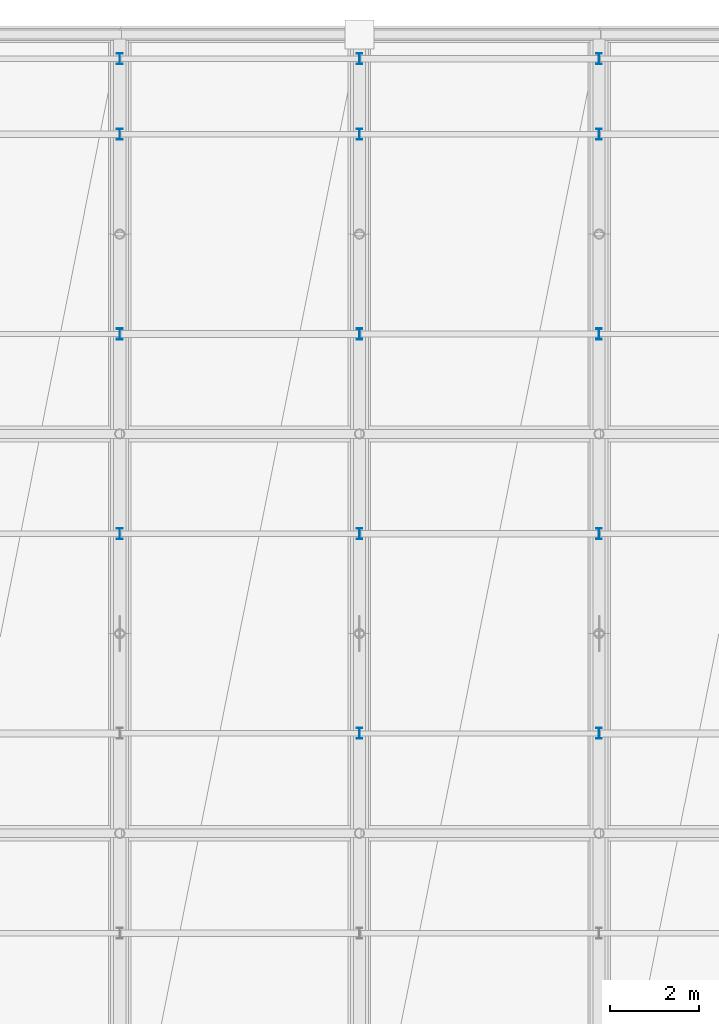
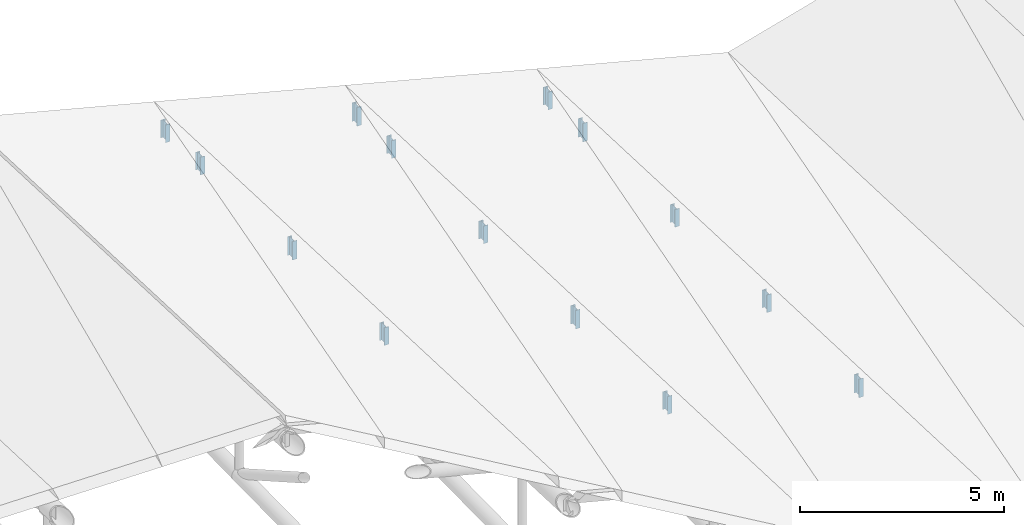
# One storey, part 77 of 109: 14 members.
"""IFC4 building model written with IfcOpenShell, lengths in metres."""

from ifc_helpers import new_model, si_unit, direction, frame, origin, origin_2d, place, context, subcontext, project, spatial, i_section, extrude, material, material_profile, profile_set, type_object, element, save


model = new_model("IFC4")

# Units and contexts
model_context = context("Model", 3, precision=1e-05, world=origin(), true_north=direction((0.0, 1.0)))
body_context = subcontext(model_context, "Body", "Model", "MODEL_VIEW")
ifc_project = project(units=[si_unit("LENGTHUNIT", "METRE"), si_unit("AREAUNIT", "SQUARE_METRE"), si_unit("VOLUMEUNIT", "CUBIC_METRE"), si_unit("PLANEANGLEUNIT", "RADIAN"), si_unit("MASSUNIT", "GRAM", prefix="KILO")], contexts=[model_context])

# Site, building, storey
site_placement = place(None, origin())
site = spatial("IfcSite", under=ifc_project, at=site_placement, CompositionType="ELEMENT")
building_placement = place(site_placement, origin())
building = spatial("IfcBuilding", under=site, at=building_placement, Name="Suirenkawa Promenade Aquatics Centre", CompositionType="ELEMENT")
storey_placement = place(building_placement, frame((0.0, 0.0, 22.800048828125)))
storey = spatial("IfcBuildingStorey", under=building, at=storey_placement, Name="ROOF", CompositionType="ELEMENT", Elevation=22.800048828125)

# Members
ifc_material = material(Name="Steel IS 2062 E350 (Grade 350)", Category="steel")
ifc_material_profile = material_profile(ifc_material, i_section(OverallWidth=0.125, OverallDepth=0.25, WebThickness=0.007080078125, FlangeThickness=0.012939453125, at=origin_2d()), Name="ISMB 250", Category="steel")
ifc_profile_set = profile_set([ifc_material_profile], Name="Steel IS 2062 E350 (Grade 350)")
member_type = type_object("IfcMemberType", Name="MT-WEB-CHS168", PredefinedType="BRACE", material=ifc_profile_set)
member_1_placement = place(storey_placement, frame((117.0, 111.14990234375, -5.862060546875), z_axis=(0.0, 0.0, 1.0), x_axis=(1.0, 0.0, 0.0)))
element("IfcMember", 1, at=member_1_placement, inside=storey, type_object=member_type, Name="ROOF TRUSS Purlin cleat post TD-03 MB-2148", PredefinedType="BRACE", context=body_context, shape_type="SweptSolid", body=[
    extrude(i_section(OverallWidth=0.125, OverallDepth=0.25, WebThickness=0.007080078125, FlangeThickness=0.012939453125, at=origin_2d()), origin(), (0.0, 0.0, 1.0), 0.529052734375),
])
member_2_placement = place(storey_placement, frame((117.0, 115.64990234375, -6.045166015625), z_axis=(0.0, 0.0, 1.0), x_axis=(1.0, 0.0, 0.0)))
element("IfcMember", 2, at=member_2_placement, inside=storey, type_object=member_type, Name="ROOF TRUSS Purlin cleat post TD-03 MB-2150", PredefinedType="BRACE", context=body_context, shape_type="SweptSolid", body=[
    extrude(i_section(OverallWidth=0.125, OverallDepth=0.25, WebThickness=0.007080078125, FlangeThickness=0.012939453125, at=origin_2d()), origin(), (0.0, 0.0, 1.0), 0.55322265625),
])
member_3_placement = place(storey_placement, frame((117.0, 120.14990234375, -6.22802734375), z_axis=(0.0, 0.0, 1.0), x_axis=(1.0, 0.0, 0.0)))
element("IfcMember", 3, at=member_3_placement, inside=storey, type_object=member_type, Name="ROOF TRUSS Purlin cleat post TD-03 MB-2152", PredefinedType="BRACE", context=body_context, shape_type="SweptSolid", body=[
    extrude(i_section(OverallWidth=0.125, OverallDepth=0.25, WebThickness=0.007080078125, FlangeThickness=0.012939453125, at=origin_2d()), origin(), (0.0, 0.0, 1.0), 0.527099609375),
])
member_4_placement = place(storey_placement, frame((117.0, 121.85009765625, -6.298095703125), z_axis=(0.0, 0.0, 1.0), x_axis=(1.0, 0.0, 0.0)))
element("IfcMember", 4, at=member_4_placement, inside=storey, type_object=member_type, Name="ROOF TRUSS Purlin cleat post TD-03 MB-2154", PredefinedType="BRACE", context=body_context, shape_type="SweptSolid", body=[
    extrude(i_section(OverallWidth=0.125, OverallDepth=0.25, WebThickness=0.007080078125, FlangeThickness=0.012939453125, at=origin_2d()), origin(), (0.0, 0.0, 1.0), 0.529052734375),
])
member_5_placement = place(storey_placement, frame((122.39990234375, 106.64990234375, -7.078125), z_axis=(0.0, 0.0, 1.0), x_axis=(1.0, 0.0, 0.0)))
element("IfcMember", 5, at=member_5_placement, inside=storey, type_object=member_type, Name="ROOF TRUSS Purlin cleat post TD-03 MB-2182", PredefinedType="BRACE", context=body_context, shape_type="SweptSolid", body=[
    extrude(i_section(OverallWidth=0.125, OverallDepth=0.25, WebThickness=0.007080078125, FlangeThickness=0.012939453125, at=origin_2d()), origin(), (0.0, 0.0, 1.0), 0.528076171875),
])
member_6_placement = place(storey_placement, frame((122.39990234375, 111.14990234375, -7.261962890625), z_axis=(0.0, 0.0, 1.0), x_axis=(1.0, 0.0, 0.0)))
element("IfcMember", 6, at=member_6_placement, inside=storey, type_object=member_type, Name="ROOF TRUSS Purlin cleat post TD-03 MB-2184", PredefinedType="BRACE", context=body_context, shape_type="SweptSolid", body=[
    extrude(i_section(OverallWidth=0.125, OverallDepth=0.25, WebThickness=0.007080078125, FlangeThickness=0.012939453125, at=origin_2d()), origin(), (0.0, 0.0, 1.0), 0.553955078125),
])
member_7_placement = place(storey_placement, frame((122.39990234375, 115.64990234375, -7.445068359375), z_axis=(0.0, 0.0, 1.0), x_axis=(1.0, 0.0, 0.0)))
element("IfcMember", 7, at=member_7_placement, inside=storey, type_object=member_type, Name="ROOF TRUSS Purlin cleat post TD-03 MB-2186", PredefinedType="BRACE", context=body_context, shape_type="SweptSolid", body=[
    extrude(i_section(OverallWidth=0.125, OverallDepth=0.25, WebThickness=0.007080078125, FlangeThickness=0.012939453125, at=origin_2d()), origin(), (0.0, 0.0, 1.0), 0.528076171875),
])
member_8_placement = place(storey_placement, frame((122.39990234375, 120.14990234375, -7.6279296875), z_axis=(0.0, 0.0, 1.0), x_axis=(1.0, 0.0, 0.0)))
element("IfcMember", 8, at=member_8_placement, inside=storey, type_object=member_type, Name="ROOF TRUSS Purlin cleat post TD-03 MB-2188", PredefinedType="BRACE", context=body_context, shape_type="SweptSolid", body=[
    extrude(i_section(OverallWidth=0.125, OverallDepth=0.25, WebThickness=0.007080078125, FlangeThickness=0.012939453125, at=origin_2d()), origin(), (0.0, 0.0, 1.0), 0.52783203125),
])
member_9_placement = place(storey_placement, frame((122.39990234375, 121.85009765625, -7.697998046875), z_axis=(0.0, 0.0, 1.0), x_axis=(1.0, 0.0, 0.0)))
element("IfcMember", 9, at=member_9_placement, inside=storey, type_object=member_type, Name="ROOF TRUSS Purlin cleat post TD-03 MB-2190", PredefinedType="BRACE", context=body_context, shape_type="SweptSolid", body=[
    extrude(i_section(OverallWidth=0.125, OverallDepth=0.25, WebThickness=0.007080078125, FlangeThickness=0.012939453125, at=origin_2d()), origin(), (0.0, 0.0, 1.0), 0.553955078125),
])
member_10_placement = place(storey_placement, frame((127.800048828125, 106.64990234375, -8.47802734375), z_axis=(0.0, 0.0, 1.0), x_axis=(1.0, 0.0, 0.0)))
element("IfcMember", 10, at=member_10_placement, inside=storey, type_object=member_type, Name="ROOF TRUSS Purlin cleat post TD-03 MB-2218", PredefinedType="BRACE", context=body_context, shape_type="SweptSolid", body=[
    extrude(i_section(OverallWidth=0.125, OverallDepth=0.25, WebThickness=0.007080078125, FlangeThickness=0.012939453125, at=origin_2d()), origin(), (0.0, 0.0, 1.0), 0.552978515625),
])
member_11_placement = place(storey_placement, frame((127.800048828125, 111.14990234375, -8.662109375), z_axis=(0.0, 0.0, 1.0), x_axis=(1.0, 0.0, 0.0)))
element("IfcMember", 11, at=member_11_placement, inside=storey, type_object=member_type, Name="ROOF TRUSS Purlin cleat post TD-03 MB-2220", PredefinedType="BRACE", context=body_context, shape_type="SweptSolid", body=[
    extrude(i_section(OverallWidth=0.125, OverallDepth=0.25, WebThickness=0.007080078125, FlangeThickness=0.012939453125, at=origin_2d()), origin(), (0.0, 0.0, 1.0), 0.528076171875),
])
member_12_placement = place(storey_placement, frame((127.800048828125, 115.64990234375, -8.844970703125), z_axis=(0.0, 0.0, 1.0), x_axis=(1.0, 0.0, 0.0)))
element("IfcMember", 12, at=member_12_placement, inside=storey, type_object=member_type, Name="ROOF TRUSS Purlin cleat post TD-03 MB-2222", PredefinedType="BRACE", context=body_context, shape_type="SweptSolid", body=[
    extrude(i_section(OverallWidth=0.125, OverallDepth=0.25, WebThickness=0.007080078125, FlangeThickness=0.012939453125, at=origin_2d()), origin(), (0.0, 0.0, 1.0), 0.52783203125),
])
member_13_placement = place(storey_placement, frame((127.800048828125, 120.14990234375, -9.028076171875), z_axis=(0.0, 0.0, 1.0), x_axis=(1.0, 0.0, 0.0)))
element("IfcMember", 13, at=member_13_placement, inside=storey, type_object=member_type, Name="ROOF TRUSS Purlin cleat post TD-03 MB-2224", PredefinedType="BRACE", context=body_context, shape_type="SweptSolid", body=[
    extrude(i_section(OverallWidth=0.125, OverallDepth=0.25, WebThickness=0.007080078125, FlangeThickness=0.012939453125, at=origin_2d()), origin(), (0.0, 0.0, 1.0), 0.552978515625),
])
member_14_placement = place(storey_placement, frame((127.800048828125, 121.85009765625, -9.09814453125), z_axis=(0.0, 0.0, 1.0), x_axis=(1.0, 0.0, 0.0)))
element("IfcMember", 14, at=member_14_placement, inside=storey, type_object=member_type, Name="ROOF TRUSS Purlin cleat post TD-03 MB-2226", PredefinedType="BRACE", context=body_context, shape_type="SweptSolid", body=[
    extrude(i_section(OverallWidth=0.125, OverallDepth=0.25, WebThickness=0.007080078125, FlangeThickness=0.012939453125, at=origin_2d()), origin(), (0.0, 0.0, 1.0), 0.528076171875),
])

save(model, "model.ifc")
